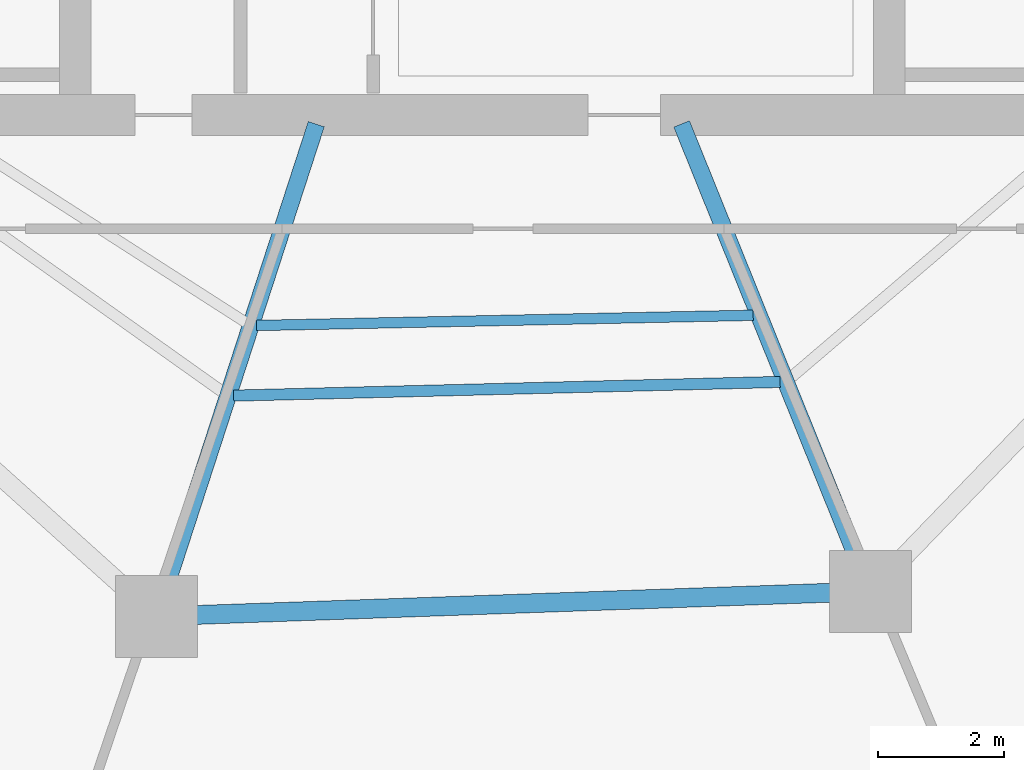
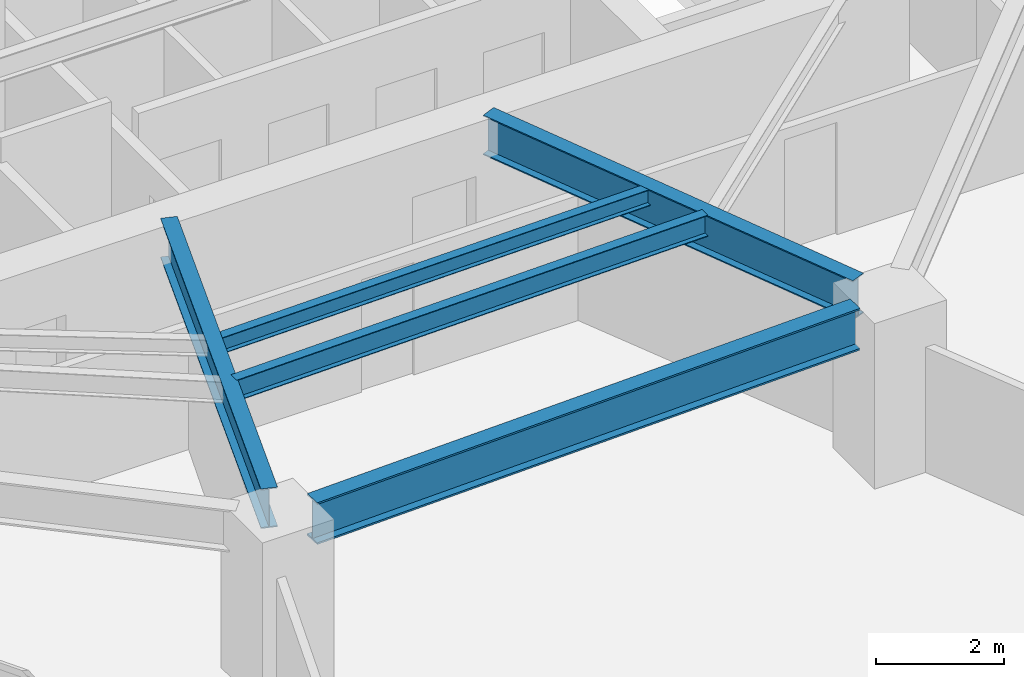
# One storey, part 6 of 30: 5 beams.
"""IFC4 building model written with IfcOpenShell, lengths in metres."""

from ifc_helpers import new_model, si_unit, direction, frame, origin, origin_2d, place, context, subcontext, project, spatial, i_section, extrude, material, material_profile, profile_set, type_object, element, save


model = new_model("IFC4")

# Units and contexts
model_context = context("Model", 3, precision=1e-05, world=origin(), true_north=direction((0.0, 1.0)))
body_context = subcontext(model_context, "Body", "Model", "MODEL_VIEW")
ifc_project = project(units=[si_unit("LENGTHUNIT", "METRE"), si_unit("AREAUNIT", "SQUARE_METRE"), si_unit("VOLUMEUNIT", "CUBIC_METRE"), si_unit("PLANEANGLEUNIT", "RADIAN"), si_unit("MASSUNIT", "GRAM", prefix="KILO")], contexts=[model_context])

# Site, building, storey
site_placement = place(None, origin())
site = spatial("IfcSite", under=ifc_project, at=site_placement, CompositionType="ELEMENT")
building_placement = place(site_placement, origin())
building = spatial("IfcBuilding", under=site, at=building_placement, Name="Qarnah Convention Tower", CompositionType="ELEMENT")
storey_placement = place(building_placement, frame((0.0, 0.0, 61.5)))
storey = spatial("IfcBuildingStorey", under=building, at=storey_placement, Name="L15", CompositionType="ELEMENT", Elevation=61.5)

# Beams
ifc_material = material(Name="Structural steel S355JR", Category="steel")
ifc_material_profile_1 = material_profile(ifc_material, i_section(OverallWidth=0.166015625, OverallDepth=0.31201171875, WebThickness=0.007080078125, FlangeThickness=0.010986328125, at=origin_2d()), Name="W310X45")
ifc_profile_set_1 = profile_set([ifc_material_profile_1], Name="Structural steel S355JR")
beam_type_1 = type_object("IfcBeamType", Name="BM-JST-W310", PredefinedType="JOIST", material=ifc_profile_set_1)
beam_1_placement = place(storey_placement, frame((33.672119140625, 15.26708984375, 3.013916015625), z_axis=(0.999788551821, 0.020563356906, 0.0), x_axis=(-0.020563356906, 0.999788551821, 0.0)))
element("IfcBeam", 1, at=beam_1_placement, inside=storey, type_object=beam_type_1, Name="L15 joist BM-L15-IJST-07", PredefinedType="JOIST", context=body_context, shape_type="SweptSolid", body=[
    extrude(i_section(OverallWidth=0.166015625, OverallDepth=0.31201171875, WebThickness=0.007080078125, FlangeThickness=0.010986328125, at=origin_2d()), origin(), (0.0, 0.0, 1.0), 7.87158203125),
])
ifc_material_profile_2 = material_profile(ifc_material, i_section(OverallWidth=0.177978515625, OverallDepth=0.407958984375, WebThickness=0.008056640625, FlangeThickness=0.012939453125, at=origin_2d()), Name="W410X60")
ifc_profile_set_2 = profile_set([ifc_material_profile_2], Name="Structural steel S355JR")
beam_type_2 = type_object("IfcBeamType", Name="BM-JST-W410", PredefinedType="JOIST", material=ifc_profile_set_2)
beam_2_placement = place(storey_placement, frame((33.31103515625, 14.156005859375, 2.966064453125), z_axis=(0.99968593615, 0.025060508057, 0.0), x_axis=(-0.025060508057, 0.99968593615, 0.0)))
element("IfcBeam", 2, at=beam_2_placement, inside=storey, type_object=beam_type_2, Name="L15 joist BM-L15-SJST-07", PredefinedType="JOIST", context=body_context, shape_type="SweptSolid", body=[
    extrude(i_section(OverallWidth=0.177978515625, OverallDepth=0.407958984375, WebThickness=0.008056640625, FlangeThickness=0.012939453125, at=origin_2d()), origin(), (0.0, 0.0, 1.0), 8.66064453125),
])
ifc_material_profile_3 = material_profile(ifc_material, i_section(OverallWidth=0.26806640625, OverallDepth=0.760009765625, WebThickness=0.014892578125, FlangeThickness=0.02197265625, at=origin_2d()), Name="W760X185")
ifc_profile_set_3 = profile_set([ifc_material_profile_3], Name="Structural steel S355JR")
beam_type_3 = type_object("IfcBeamType", Name="BM-RAD-W760", PredefinedType="BEAM", material=ifc_profile_set_3)
beam_3_placement = place(storey_placement, frame((34.6201171875, 18.45703125, 2.7900390625), z_axis=(-0.309057625925, -0.951043313345, 0.0), x_axis=(0.951043313345, -0.309057625925, 0.0)))
element("IfcBeam", 3, at=beam_3_placement, inside=storey, type_object=beam_type_3, Name="L15 beam BM-L15-RAD-07", PredefinedType="BEAM", context=body_context, shape_type="SweptSolid", body=[
    extrude(i_section(OverallWidth=0.26806640625, OverallDepth=0.760009765625, WebThickness=0.014892578125, FlangeThickness=0.02197265625, at=origin_2d()), origin(), (0.0, 0.0, 1.0), 7.568603515625),
])
beam_4_placement = place(storey_placement, frame((40.407958984375, 18.4609375, 2.7900390625), z_axis=(0.374586487969, -0.927191977441, 0.0), x_axis=(0.927191977441, 0.374586487969, 0.0)))
element("IfcBeam", 4, at=beam_4_placement, inside=storey, type_object=beam_type_3, Name="L15 beam BM-L15-RAD-08", PredefinedType="BEAM", context=body_context, shape_type="SweptSolid", body=[
    extrude(i_section(OverallWidth=0.26806640625, OverallDepth=0.760009765625, WebThickness=0.014892578125, FlangeThickness=0.02197265625, at=origin_2d()), origin(), (0.0, 0.0, 1.0), 7.357666015625),
])
ifc_material_profile_4 = material_profile(ifc_material, i_section(OverallWidth=0.300048828125, OverallDepth=0.800048828125, WebThickness=0.01806640625, FlangeThickness=0.032958984375, at=origin_2d()), Name="HEB800")
ifc_profile_set_4 = profile_set([ifc_material_profile_4], Name="Structural steel S355JR")
beam_type_4 = type_object("IfcBeamType", Name="BM-RING-HEB800", PredefinedType="BEAM", material=ifc_profile_set_4)
beam_5_placement = place(storey_placement, frame((32.72607421875, 10.681884765625, 2.77001953125), z_axis=(0.999388457365, 0.034967288783, 0.0), x_axis=(-0.034967288783, 0.999388457365, 0.0)))
element("IfcBeam", 5, at=beam_5_placement, inside=storey, type_object=beam_type_4, Name="L15 beam BM-L15-SPN-07", PredefinedType="BEAM", context=body_context, shape_type="SweptSolid", body=[
    extrude(i_section(OverallWidth=0.300048828125, OverallDepth=0.800048828125, WebThickness=0.01806640625, FlangeThickness=0.032958984375, at=origin_2d()), origin(), (0.0, 0.0, 1.0), 10.0400390625),
])

save(model, "model.ifc")
